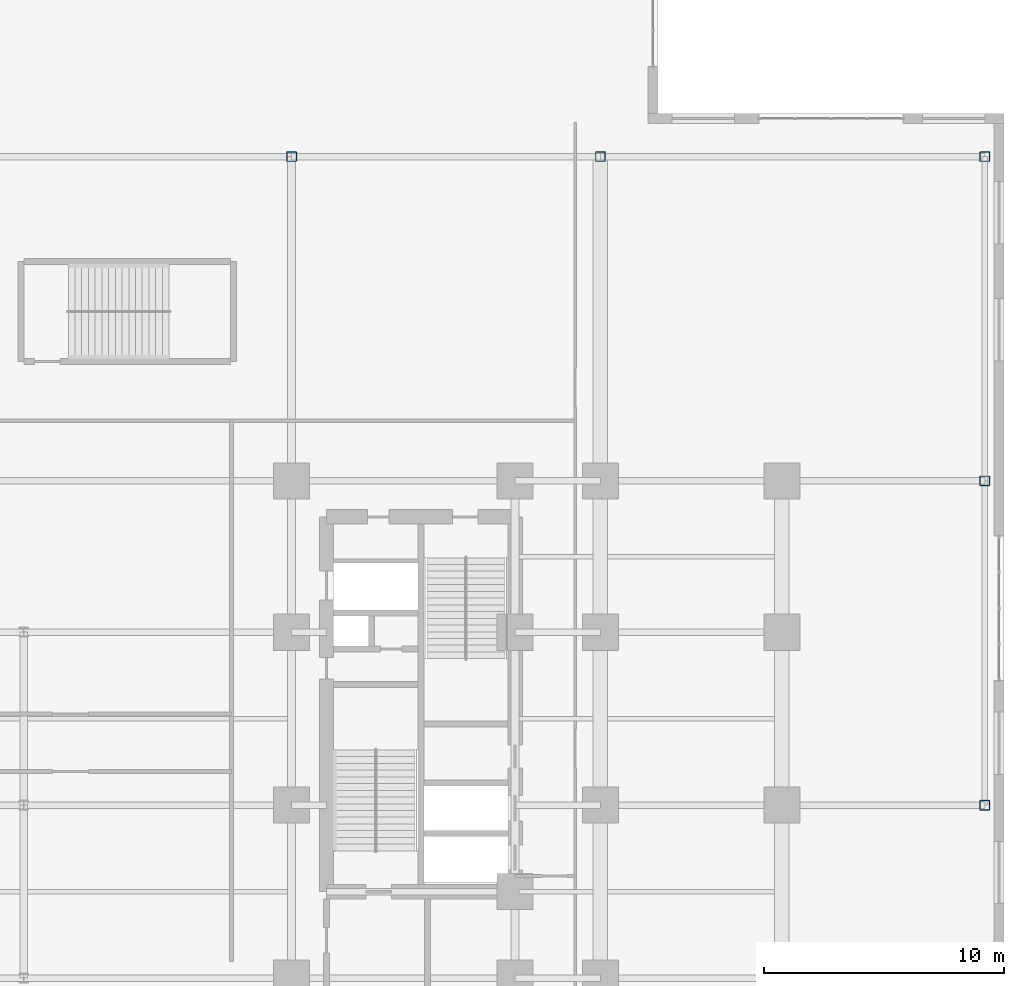
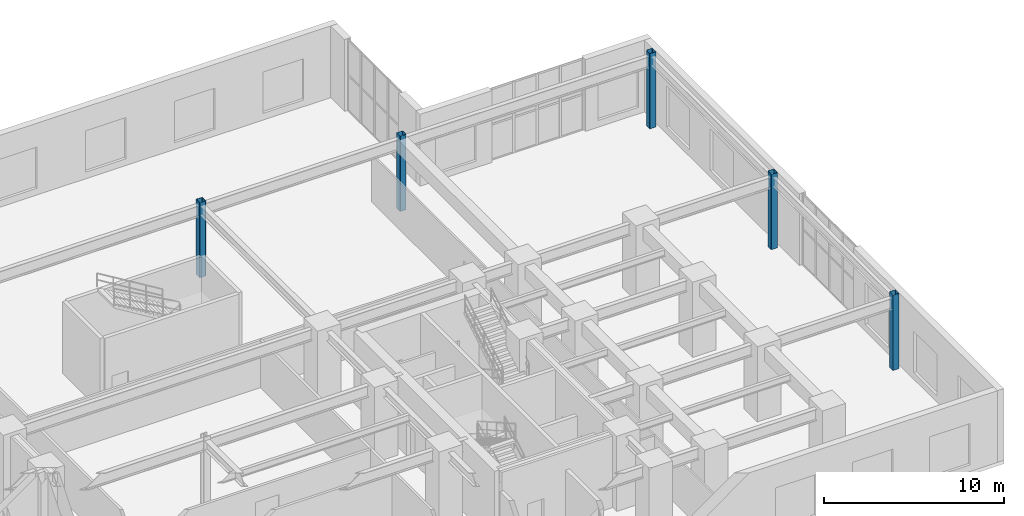
# One storey, part 2 of 23: 5 columns.
"""IFC4 building model written with IfcOpenShell, lengths in metres."""

from ifc_helpers import new_model, entity, si_unit, converted_unit, direction, frame, origin_with_axes, origin_2d_with_axis, place, context, subcontext, project, spatial, hollow_rectangle, extrude, material, material_profile, profile_set, type_object, element, save


model = new_model("IFC4")

# Units and contexts
model_context = context("Model", 3, precision=1e-05, world=origin_with_axes(), true_north=direction((0.0, 1.0)))
body_context = subcontext(model_context, "Body", "Model", "MODEL_VIEW")
ifc_project = project(units=[si_unit("LENGTHUNIT", "METRE"), si_unit("AREAUNIT", "SQUARE_METRE"), si_unit("VOLUMEUNIT", "CUBIC_METRE"), converted_unit("PLANEANGLEUNIT", "DEGREE", entity("IfcPlaneAngleMeasure", 0.017453292519943295), si_unit("PLANEANGLEUNIT", "RADIAN"), dimensions=[0, 0, 0, 0, 0, 0, 0]), si_unit("MASSUNIT", "GRAM", prefix="KILO"), si_unit("THERMODYNAMICTEMPERATUREUNIT", "KELVIN")], contexts=[model_context])

# Site, building, storey
site_placement = place(None, origin_with_axes())
site = spatial("IfcSite", under=ifc_project, at=site_placement, CompositionType="ELEMENT")
building_placement = place(site_placement, origin_with_axes())
building = spatial("IfcBuilding", under=site, at=building_placement, Name="Varnlund Millrace Tower", CompositionType="ELEMENT")
storey_placement = place(building_placement, frame((0.0, 0.0, 5.7), z_axis=(0.0, 0.0, 1.0), x_axis=(1.0, 0.0, 0.0)))
storey = spatial("IfcBuildingStorey", under=building, at=storey_placement, Name="L01", CompositionType="ELEMENT", Elevation=5.7)

# Columns
ifc_material = material(Name="Steel ASTM A500 Grade C", Category="steel")
ifc_material_profile = material_profile(ifc_material, hollow_rectangle(XDim=0.406, YDim=0.406, WallThickness=0.0147, InnerFilletRadius=0.015, OuterFilletRadius=0.03, at=origin_2d_with_axis()), Name="Steel ASTM A500 Grade C")
ifc_profile_set = profile_set([ifc_material_profile], Name="Steel ASTM A500 Grade C")
column_type = type_object("IfcColumnType", Name="Type-Col-Int-HSS16", PredefinedType="COLUMN", material=ifc_profile_set)
for number, where, z_axis, x_axis, name in (
    (1, (67.6, 10.8, 0.0), (0.0, 0.0, 1.0), (1.0, 0.0, 0.0), "Type-Col-Int-HSS16"),
    (2, (67.6, 24.3, 0.0), (0.0, 0.0, 1.0), (1.0, 0.0, 0.0), "Type-Col-Int-HSS16"),
    (3, (67.6, 37.8, 0.0), (0.0, 0.0, 1.0), (1.0, 0.0, 0.0), "Type-Col-Int-HSS16"),
    (4, (38.75, 37.8, 0.0), (0.0, 0.0, 1.0), (1.0, 0.0, 0.0), "Type-Col-Int-HSS16"),
    (5, (51.6, 37.8, 0.0), (0.0, 0.0, 1.0), (1.0, 0.0, 0.0), "Type-Col-Int-HSS16"),
):
    element("IfcColumn", number, at=place(storey_placement, frame(where, z_axis=z_axis, x_axis=x_axis)), inside=storey, type_object=column_type, Name=name, PredefinedType="COLUMN", context=body_context, shape_type="SweptSolid", body=[
        extrude(hollow_rectangle(XDim=0.406, YDim=0.406, WallThickness=0.0147, InnerFilletRadius=0.015, OuterFilletRadius=0.03, at=origin_2d_with_axis()), origin_with_axes(), (0.0, 0.0, 1.0), 5.1),
    ])

save(model, "model.ifc")
